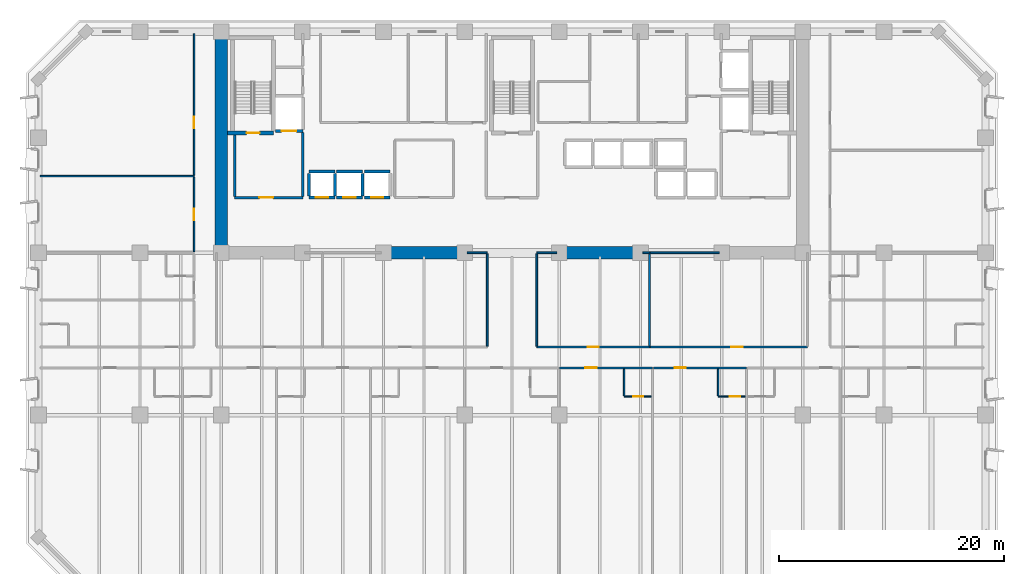
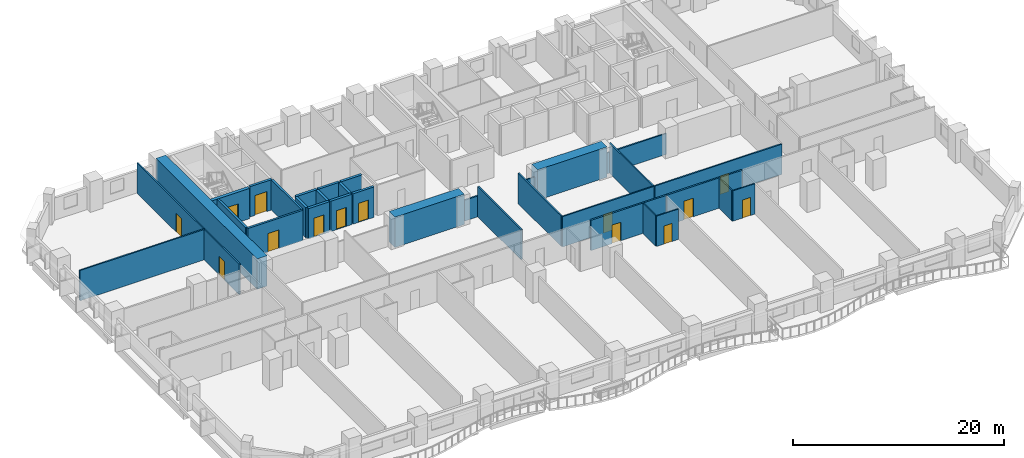
# One storey, part 6 of 15: 35 walls, 14 doors, 14 openings.
"""IFC4 building model written with IfcOpenShell, lengths in metres."""

from ifc_helpers import new_model, si_unit, direction, frame, frame_2d, origin, place, context, subcontext, project, spatial, rectangle, extrude, material, layer, layer_set, type_object, element, fill, save


model = new_model("IFC4")

# Units and contexts
model_context = context("Model", 3, precision=1e-05, world=origin(), true_north=direction((0.0, 1.0)))
body_context = subcontext(model_context, "Body", "Model", "MODEL_VIEW")
ifc_project = project(units=[si_unit("LENGTHUNIT", "METRE"), si_unit("AREAUNIT", "SQUARE_METRE"), si_unit("VOLUMEUNIT", "CUBIC_METRE"), si_unit("PLANEANGLEUNIT", "RADIAN"), si_unit("MASSUNIT", "GRAM", prefix="KILO")], contexts=[model_context])

# Site, building, storey
site_placement = place(None, origin())
site = spatial("IfcSite", under=ifc_project, at=site_placement, CompositionType="ELEMENT")
building_placement = place(site_placement, origin())
building = spatial("IfcBuilding", under=site, at=building_placement, Name="Kaelvorn Grand Hotel", CompositionType="ELEMENT")
storey_placement = place(building_placement, frame((0.0, 0.0, 72.64990234375)))
storey = spatial("IfcBuildingStorey", under=building, at=storey_placement, Name="L16", CompositionType="ELEMENT", Elevation=72.64990234375)

# Walls
ifc_material_1 = material(Name="Concrete C80/95", Category="concrete")
ifc_layer_1 = layer(ifc_material_1, 1.10009765625)
ifc_layer_set_1 = layer_set([ifc_layer_1], Name="Concrete C80/95")
wall_type_1 = type_object("IfcWallType", Name="WL-CORE-1100-C80", PredefinedType="SHEAR", material=ifc_layer_set_1)
wall_1_placement = place(storey_placement, frame((16.199951171875, 29.39990234375, 0.0), z_axis=(0.0, 0.0, 1.0), x_axis=(0.0, 1.0, 0.0)))
element("IfcWall", 1, at=wall_1_placement, inside=storey, type_object=wall_type_1, Name="L16 Rear-Core West Shear Wall", PredefinedType="SHEAR", context=body_context, shape_type="SweptSolid", body=[
    extrude(rectangle(XDim=19.2001953125, YDim=1.10009765625, at=frame_2d((9.60009765625, 0.0))), origin(), (0.0, 0.0, 1.0), 3.510009765625),
])
for number, where, z_axis, x_axis, name in (
    (2, (30.39990234375, 29.39990234375, 0.0), (0.0, 0.0, 1.0), (1.0, 0.0, 0.0), "L16 Rear-Core Coupled Shear Pier S2"),
    (3, (46.0, 29.39990234375, 0.0), (0.0, 0.0, 1.0), (1.0, 0.0, 0.0), "L16 Rear-Core Coupled Shear Pier S3"),
):
    element("IfcWall", number, at=place(storey_placement, frame(where, z_axis=z_axis, x_axis=x_axis)), inside=storey, type_object=wall_type_1, Name=name, PredefinedType="SHEAR", context=body_context, shape_type="SweptSolid", body=[
        extrude(rectangle(XDim=7.60009765625, YDim=1.10009765625, at=frame_2d((3.800048828125, 0.0))), origin(), (0.0, 0.0, 1.0), 3.510009765625),
    ])

# Wall, opening, door
ifc_material_2 = material(Name="Moisture-Resistant Tile & Stud Board")
ifc_layer_2 = layer(ifc_material_2, 0.125)
ifc_layer_set_2 = layer_set([ifc_layer_2], Name="Moisture-Resistant Tile & Stud Board")
wall_type_2 = type_object("IfcWallType", Name="WL-PART-125-WET", PredefinedType="PARTITIONING", material=ifc_layer_set_2)
wall_2_placement = place(storey_placement, frame((51.94970703125, 16.64990234375, 0.0), z_axis=(0.0, 0.0, 1.0), x_axis=(1.0, 0.0, 0.0)))
wall_2 = element("IfcWall", 4, at=wall_2_placement, inside=storey, type_object=wall_type_2, Name="L16 En-suite Bathroom L16-06 S Partition", PredefinedType="PARTITIONING", context=body_context, shape_type="SweptSolid", body=[
    extrude(rectangle(XDim=2.405029296875, YDim=0.125, at=frame_2d((1.20263671875, 0.0))), origin(), (0.0, 0.0, 1.0), 3.510009765625),
])
opening_1_placement = place(wall_2_placement, frame((0.800048828125, 0.0, 0.0)))
opening_1 = element("IfcOpeningElement", 5, at=opening_1_placement, cuts=wall_2, Name="Opening DI4", PredefinedType="OPENING", context=body_context, shape_type="SweptSolid", body=[
    extrude(rectangle(XDim=0.89990234375, YDim=2.10009765625, at=frame_2d((0.449951171875, 1.050048828125))), frame((0.0, 0.072509765625, 0.0), z_axis=(0.0, -1.0, 0.0), x_axis=(1.0, 0.0, 0.0)), (0.0, 0.0, 1.0), 0.14501953125),
])
ifc_material_3 = material(Name="Timber Veneer Leaf", Category="wood")
door_type_1 = type_object("IfcDoorType", Name="DR-INT-BATH-900x2100", OperationType="NOTDEFINED", PredefinedType="DOOR", material=ifc_material_3)
door_1_placement = place(opening_1_placement, origin())
door_1 = element("IfcDoor", 6, at=door_1_placement, inside=storey, type_object=door_type_1, Name="L16 En-suite Bathroom L16-06 Door", OperationType="SINGLE_SWING_RIGHT", OverallHeight=2.10009765625, OverallWidth=0.89990234375, PredefinedType="DOOR", context=body_context, shape_type="SweptSolid", body=[
    extrude(rectangle(XDim=0.89990234375, YDim=2.10009765625, at=frame_2d((0.449951171875, 1.050048828125))), frame((0.0, 0.02490234375, 0.0), z_axis=(0.0, -1.0, 0.0), x_axis=(1.0, 0.0, 0.0)), (0.0, 0.0, 1.0), 0.050048828125),
])
fill(opening_1, door_1)

# Wall
wall_3_placement = place(storey_placement, frame((51.94970703125, 16.717529296875, 0.0), z_axis=(0.0, 0.0, 1.0), x_axis=(0.0, 1.0, 0.0)))
element("IfcWall", 7, at=wall_3_placement, inside=storey, type_object=wall_type_2, Name="L16 En-suite Bathroom L16-06 W Partition", PredefinedType="PARTITIONING", context=body_context, shape_type="SweptSolid", body=[
    extrude(rectangle(XDim=2.387451171875, YDim=0.125, at=frame_2d((1.19384765625, 0.0))), origin(), (0.0, 0.0, 1.0), 3.510009765625),
])

# Wall, opening, door
wall_4_placement = place(storey_placement, frame((60.282958984375, 16.64990234375, 0.0), z_axis=(0.0, 0.0, 1.0), x_axis=(1.0, 0.0, 0.0)))
wall_4 = element("IfcWall", 8, at=wall_4_placement, inside=storey, type_object=wall_type_2, Name="L16 En-suite Bathroom L16-07 S Partition", PredefinedType="PARTITIONING", context=body_context, shape_type="SweptSolid", body=[
    extrude(rectangle(XDim=2.405029296875, YDim=0.125, at=frame_2d((1.20263671875, 0.0))), origin(), (0.0, 0.0, 1.0), 3.510009765625),
])
opening_2_placement = place(wall_4_placement, frame((1.050048828125, 0.0, 0.0)))
opening_2 = element("IfcOpeningElement", 9, at=opening_2_placement, cuts=wall_4, Name="Opening DI4", PredefinedType="OPENING", context=body_context, shape_type="SweptSolid", body=[
    extrude(rectangle(XDim=0.89990234375, YDim=2.10009765625, at=frame_2d((0.449951171875, 1.050048828125))), frame((0.0, 0.072509765625, 0.0), z_axis=(0.0, -1.0, 0.0), x_axis=(1.0, 0.0, 0.0)), (0.0, 0.0, 1.0), 0.14501953125),
])
door_2_placement = place(opening_2_placement, origin())
door_2 = element("IfcDoor", 10, at=door_2_placement, inside=storey, type_object=door_type_1, Name="L16 En-suite Bathroom L16-07 Door", OperationType="SINGLE_SWING_RIGHT", OverallHeight=2.10009765625, OverallWidth=0.89990234375, PredefinedType="DOOR", context=body_context, shape_type="SweptSolid", body=[
    extrude(rectangle(XDim=0.89990234375, YDim=2.10009765625, at=frame_2d((0.449951171875, 1.050048828125))), frame((0.0, 0.02490234375, 0.0), z_axis=(0.0, -1.0, 0.0), x_axis=(1.0, 0.0, 0.0)), (0.0, 0.0, 1.0), 0.050048828125),
])
fill(opening_2, door_2)

# Walls
wall_5_placement = place(storey_placement, frame((60.282958984375, 16.717529296875, 0.0), z_axis=(0.0, 0.0, 1.0), x_axis=(0.0, 1.0, 0.0)))
element("IfcWall", 11, at=wall_5_placement, inside=storey, type_object=wall_type_2, Name="L16 En-suite Bathroom L16-07 W Partition", PredefinedType="PARTITIONING", context=body_context, shape_type="SweptSolid", body=[
    extrude(rectangle(XDim=2.387451171875, YDim=0.125, at=frame_2d((1.19384765625, 0.0))), origin(), (0.0, 0.0, 1.0), 3.510009765625),
])
ifc_material_4 = material(Name="Acoustic Gypsum & Stud Partition")
ifc_layer_3 = layer(ifc_material_4, 0.14990234375)
ifc_layer_set_3 = layer_set([ifc_layer_3], Name="Acoustic Gypsum & Stud Partition")
wall_type_3 = type_object("IfcWallType", Name="WL-PART-150-EI60", PredefinedType="PARTITIONING", material=ifc_layer_set_3)
wall_6_placement = place(storey_placement, frame((38.010009765625, 29.39990234375, 0.0), z_axis=(0.0, 0.0, 1.0), x_axis=(1.0, 0.0, 0.0)))
element("IfcWall", 12, at=wall_6_placement, inside=storey, type_object=wall_type_3, Name="L16 Sommelier Wine Bar N Partition (2)", PredefinedType="PARTITIONING", context=body_context, shape_type="SweptSolid", body=[
    extrude(rectangle(XDim=1.7900390625, YDim=0.14990234375, at=frame_2d((0.89501953125, 0.0))), origin(), (0.0, 0.0, 1.0), 2.41015625),
])
wall_7_placement = place(storey_placement, frame((39.800048828125, 21.1298828125, 0.0), z_axis=(0.0, 0.0, 1.0), x_axis=(0.0, 1.0, 0.0)))
element("IfcWall", 13, at=wall_7_placement, inside=storey, type_object=wall_type_3, Name="L16 Sommelier Wine Bar E Partition", PredefinedType="PARTITIONING", context=body_context, shape_type="SweptSolid", body=[
    extrude(rectangle(XDim=8.190185546875, YDim=0.14990234375, at=frame_2d((4.09521484375, 0.0))), origin(), (0.0, 0.0, 1.0), 3.510009765625),
])

# Wall, opening, door
wall_8_placement = place(storey_placement, frame((44.199951171875, 21.050048828125, 0.0), z_axis=(0.0, 0.0, 1.0), x_axis=(1.0, 0.0, 0.0)))
wall_8 = element("IfcWall", 14, at=wall_8_placement, inside=storey, type_object=wall_type_3, Name="L16 Business Meeting Room S Partition", PredefinedType="PARTITIONING", context=body_context, shape_type="SweptSolid", body=[
    extrude(rectangle(XDim=10.0, YDim=0.14990234375, at=frame_2d((5.0, 0.0))), origin(), (0.0, 0.0, 1.0), 3.510009765625),
])
opening_3_placement = place(wall_8_placement, frame((4.5, 0.0, 0.0)))
opening_3 = element("IfcOpeningElement", 15, at=opening_3_placement, cuts=wall_8, Name="Opening DI3", PredefinedType="OPENING", context=body_context, shape_type="SweptSolid", body=[
    extrude(rectangle(XDim=1.0, YDim=2.14990234375, at=frame_2d((0.5, 1.074951171875))), frame((0.0, 0.0849609375, 0.0), z_axis=(0.0, -1.0, 0.0), x_axis=(1.0, 0.0, 0.0)), (0.0, 0.0, 1.0), 0.169921875),
])
ifc_material_5 = material(Name="Timber Veneer Fire Leaf", Category="wood")
door_type_2 = type_object("IfcDoorType", Name="DR-INT-GUEST-1000x2150", OperationType="NOTDEFINED", PredefinedType="DOOR", material=ifc_material_5)
door_3_placement = place(opening_3_placement, origin())
door_3 = element("IfcDoor", 16, at=door_3_placement, inside=storey, type_object=door_type_2, Name="L16 Business Meeting Room Door", OperationType="SINGLE_SWING_LEFT", OverallHeight=2.14990234375, OverallWidth=1.0, PredefinedType="DOOR", context=body_context, shape_type="SweptSolid", body=[
    extrude(rectangle(XDim=1.0, YDim=2.14990234375, at=frame_2d((0.5, 1.074951171875))), frame((0.0, 0.02490234375, 0.0), z_axis=(0.0, -1.0, 0.0), x_axis=(1.0, 0.0, 0.0)), (0.0, 0.0, 1.0), 0.050048828125),
])
fill(opening_3, door_3)

# Walls
wall_9_placement = place(storey_placement, frame((44.199951171875, 29.39990234375, 0.0), z_axis=(0.0, 0.0, 1.0), x_axis=(1.0, 0.0, 0.0)))
element("IfcWall", 17, at=wall_9_placement, inside=storey, type_object=wall_type_3, Name="L16 Business Meeting Room N Partition (1)", PredefinedType="PARTITIONING", context=body_context, shape_type="SweptSolid", body=[
    extrude(rectangle(XDim=1.7900390625, YDim=0.14990234375, at=frame_2d((0.89501953125, 0.0))), origin(), (0.0, 0.0, 1.0), 2.41015625),
])
wall_10_placement = place(storey_placement, frame((53.610107421875, 29.39990234375, 0.0), z_axis=(0.0, 0.0, 1.0), x_axis=(1.0, 0.0, 0.0)))
element("IfcWall", 18, at=wall_10_placement, inside=storey, type_object=wall_type_3, Name="L16 Business Meeting Room N Partition (2)", PredefinedType="PARTITIONING", context=body_context, shape_type="SweptSolid", body=[
    extrude(rectangle(XDim=0.58984375, YDim=0.14990234375, at=frame_2d((0.294921875, 0.0))), origin(), (0.0, 0.0, 1.0), 2.41015625),
])
for number, where, z_axis, x_axis, name in (
    (19, (44.199951171875, 21.1298828125, 0.0), (0.0, 0.0, 1.0), (0.0, 1.0, 0.0), "L16 Business Meeting Room W Partition"),
    (20, (54.199951171875, 21.1298828125, 0.0), (0.0, 0.0, 1.0), (0.0, 1.0, 0.0), "L16 Business Meeting Room E Partition"),
):
    element("IfcWall", number, at=place(storey_placement, frame(where, z_axis=z_axis, x_axis=x_axis)), inside=storey, type_object=wall_type_3, Name=name, PredefinedType="PARTITIONING", context=body_context, shape_type="SweptSolid", body=[
        extrude(rectangle(XDim=8.190185546875, YDim=0.14990234375, at=frame_2d((4.09521484375, 0.0))), origin(), (0.0, 0.0, 1.0), 3.510009765625),
    ])

# Wall, opening, door
wall_11_placement = place(storey_placement, frame((54.280029296875, 21.050048828125, 0.0), z_axis=(0.0, 0.0, 1.0), x_axis=(1.0, 0.0, 0.0)))
wall_11 = element("IfcWall", 21, at=wall_11_placement, inside=storey, type_object=wall_type_3, Name="L16 Press Briefing Office S Partition", PredefinedType="PARTITIONING", context=body_context, shape_type="SweptSolid", body=[
    extrude(rectangle(XDim=13.919921875, YDim=0.14990234375, at=frame_2d((6.9599609375, 0.0))), origin(), (0.0, 0.0, 1.0), 3.510009765625),
])
opening_4_placement = place(wall_11_placement, frame((7.169921875, 0.0, 0.0)))
opening_4 = element("IfcOpeningElement", 22, at=opening_4_placement, cuts=wall_11, Name="Opening DI3", PredefinedType="OPENING", context=body_context, shape_type="SweptSolid", body=[
    extrude(rectangle(XDim=1.0, YDim=2.14990234375, at=frame_2d((0.5, 1.074951171875))), frame((0.0, 0.0849609375, 0.0), z_axis=(0.0, -1.0, 0.0), x_axis=(1.0, 0.0, 0.0)), (0.0, 0.0, 1.0), 0.169921875),
])
door_4_placement = place(opening_4_placement, origin())
door_4 = element("IfcDoor", 23, at=door_4_placement, inside=storey, type_object=door_type_2, Name="L16 Press Briefing Office Door", OperationType="SINGLE_SWING_RIGHT", OverallHeight=2.14990234375, OverallWidth=1.0, PredefinedType="DOOR", context=body_context, shape_type="SweptSolid", body=[
    extrude(rectangle(XDim=1.0, YDim=2.14990234375, at=frame_2d((0.5, 1.074951171875))), frame((0.0, 0.02490234375, 0.0), z_axis=(0.0, -1.0, 0.0), x_axis=(1.0, 0.0, 0.0)), (0.0, 0.0, 1.0), 0.050048828125),
])
fill(opening_4, door_4)

# Walls
wall_12_placement = place(storey_placement, frame((54.280029296875, 29.39990234375, 0.0), z_axis=(0.0, 0.0, 1.0), x_axis=(1.0, 0.0, 0.0)))
element("IfcWall", 24, at=wall_12_placement, inside=storey, type_object=wall_type_3, Name="L16 Press Briefing Office N Partition", PredefinedType="PARTITIONING", context=body_context, shape_type="SweptSolid", body=[
    extrude(rectangle(XDim=6.10986328125, YDim=0.14990234375, at=frame_2d((3.054931640625, 0.0))), origin(), (0.0, 0.0, 1.0), 2.41015625),
])
wall_13_placement = place(storey_placement, frame((0.14990234375, 36.199951171875, 0.0), z_axis=(0.0, 0.0, 1.0), x_axis=(1.0, 0.0, 0.0)))
element("IfcWall", 25, at=wall_13_placement, inside=storey, type_object=wall_type_3, Name="L16 North-West Private Cinema Lounge N Partition", PredefinedType="PARTITIONING", context=body_context, shape_type="SweptSolid", body=[
    extrude(rectangle(XDim=13.650146484375, YDim=0.14990234375, at=frame_2d((6.8251953125, 0.0))), origin(), (0.0, 0.0, 1.0), 3.510009765625),
])

# Wall, opening, door
wall_14_placement = place(storey_placement, frame((13.800048828125, 29.4951171875, 0.0), z_axis=(0.0, 0.0, 1.0), x_axis=(0.0, 1.0, 0.0)))
wall_14 = element("IfcWall", 26, at=wall_14_placement, inside=storey, type_object=wall_type_3, Name="L16 North-West Private Cinema Lounge E Partition", PredefinedType="PARTITIONING", context=body_context, shape_type="SweptSolid", body=[
    extrude(rectangle(XDim=6.625, YDim=0.14990234375, at=frame_2d((3.3125, 0.0))), origin(), (0.0, 0.0, 1.0), 3.510009765625),
])
opening_5_placement = place(wall_14_placement, frame((2.804931640625, 0.0, 0.0)))
opening_5 = element("IfcOpeningElement", 27, at=opening_5_placement, cuts=wall_14, Name="Opening DI3", PredefinedType="OPENING", context=body_context, shape_type="SweptSolid", body=[
    extrude(rectangle(XDim=1.0, YDim=2.14990234375, at=frame_2d((0.5, 1.074951171875))), frame((0.0, 0.0849609375, 0.0), z_axis=(0.0, -1.0, 0.0), x_axis=(1.0, 0.0, 0.0)), (0.0, 0.0, 1.0), 0.169921875),
])
door_5_placement = place(opening_5_placement, origin())
door_5 = element("IfcDoor", 28, at=door_5_placement, inside=storey, type_object=door_type_2, Name="L16 North-West Private Cinema Lounge Door", OperationType="SINGLE_SWING_LEFT", OverallHeight=2.14990234375, OverallWidth=1.0, PredefinedType="DOOR", context=body_context, shape_type="SweptSolid", body=[
    extrude(rectangle(XDim=1.0, YDim=2.14990234375, at=frame_2d((0.5, 1.074951171875))), frame((0.0, 0.02490234375, 0.0), z_axis=(0.0, -1.0, 0.0), x_axis=(1.0, 0.0, 0.0)), (0.0, 0.0, 1.0), 0.050048828125),
])
fill(opening_5, door_5)

wall_15_placement = place(storey_placement, frame((13.800048828125, 36.280029296875, 0.0), z_axis=(0.0, 0.0, 1.0), x_axis=(0.0, 1.0, 0.0)))
wall_15 = element("IfcWall", 29, at=wall_15_placement, inside=storey, type_object=wall_type_3, Name="L16 North-West Sommelier Wine Bar E Partition", PredefinedType="PARTITIONING", context=body_context, shape_type="SweptSolid", body=[
    extrude(rectangle(XDim=12.570068359375, YDim=0.14990234375, at=frame_2d((6.28515625, 0.0))), origin(), (0.0, 0.0, 1.0), 3.510009765625),
])
opening_6_placement = place(wall_15_placement, frame((4.169921875, 0.0, 0.0)))
opening_6 = element("IfcOpeningElement", 30, at=opening_6_placement, cuts=wall_15, Name="Opening DI3", PredefinedType="OPENING", context=body_context, shape_type="SweptSolid", body=[
    extrude(rectangle(XDim=1.0, YDim=2.14990234375, at=frame_2d((0.5, 1.074951171875))), frame((0.0, 0.0849609375, 0.0), z_axis=(0.0, -1.0, 0.0), x_axis=(1.0, 0.0, 0.0)), (0.0, 0.0, 1.0), 0.169921875),
])
door_6_placement = place(opening_6_placement, origin())
door_6 = element("IfcDoor", 31, at=door_6_placement, inside=storey, type_object=door_type_2, Name="L16 North-West Sommelier Wine Bar Door", OperationType="SINGLE_SWING_RIGHT", OverallHeight=2.14990234375, OverallWidth=1.0, PredefinedType="DOOR", context=body_context, shape_type="SweptSolid", body=[
    extrude(rectangle(XDim=1.0, YDim=2.14990234375, at=frame_2d((0.5, 1.074951171875))), frame((0.0, 0.02490234375, 0.0), z_axis=(0.0, -1.0, 0.0), x_axis=(1.0, 0.0, 0.0)), (0.0, 0.0, 1.0), 0.050048828125),
])
fill(opening_6, door_6)

ifc_layer_4 = layer(ifc_material_4, 0.179931640625)
ifc_layer_set_4 = layer_set([ifc_layer_4], Name="Acoustic Gypsum & Stud Partition")
wall_type_4 = type_object("IfcWallType", Name="WL-PART-180-EI60", PredefinedType="PARTITIONING", material=ifc_layer_set_4)
wall_16_placement = place(storey_placement, frame((46.21142578125, 19.199951171875, 0.0), z_axis=(0.0, 0.0, 1.0), x_axis=(1.0, 0.0, 0.0)))
wall_16 = element("IfcWall", 32, at=wall_16_placement, inside=storey, type_object=wall_type_4, Name="L16 Deluxe Panoramic Suite L16-06 N Partition", PredefinedType="PARTITIONING", context=body_context, shape_type="SweptSolid", body=[
    extrude(rectangle(XDim=8.23828125, YDim=0.179931640625, at=frame_2d((4.119140625, 0.0))), origin(), (0.0, 0.0, 1.0), 3.510009765625),
])
opening_7_placement = place(wall_16_placement, frame((2.303466796875, 0.0, 0.0)))
opening_7 = element("IfcOpeningElement", 33, at=opening_7_placement, cuts=wall_16, Name="Opening DI3", PredefinedType="OPENING", context=body_context, shape_type="SweptSolid", body=[
    extrude(rectangle(XDim=1.0, YDim=2.14990234375, at=frame_2d((0.5, 1.074951171875))), frame((0.0, 0.10009765625, 0.0), z_axis=(0.0, -1.0, 0.0), x_axis=(1.0, 0.0, 0.0)), (0.0, 0.0, 1.0), 0.199951171875),
])
door_7_placement = place(opening_7_placement, origin())
door_7 = element("IfcDoor", 34, at=door_7_placement, inside=storey, type_object=door_type_2, Name="L16 Deluxe Panoramic Suite L16-06 Door", OperationType="SINGLE_SWING_LEFT", OverallHeight=2.14990234375, OverallWidth=1.0, PredefinedType="DOOR", context=body_context, shape_type="SweptSolid", body=[
    extrude(rectangle(XDim=1.0, YDim=2.14990234375, at=frame_2d((0.5, 1.074951171875))), frame((0.0, 0.02490234375, 0.0), z_axis=(0.0, -1.0, 0.0), x_axis=(1.0, 0.0, 0.0)), (0.0, 0.0, 1.0), 0.050048828125),
])
fill(opening_7, door_7)

wall_17_placement = place(storey_placement, frame((54.544677734375, 19.199951171875, 0.0), z_axis=(0.0, 0.0, 1.0), x_axis=(1.0, 0.0, 0.0)))
wall_17 = element("IfcWall", 35, at=wall_17_placement, inside=storey, type_object=wall_type_4, Name="L16 Deluxe Panoramic Suite L16-07 N Partition", PredefinedType="PARTITIONING", context=body_context, shape_type="SweptSolid", body=[
    extrude(rectangle(XDim=8.23828125, YDim=0.179931640625, at=frame_2d((4.119140625, 0.0))), origin(), (0.0, 0.0, 1.0), 3.510009765625),
])
opening_8_placement = place(wall_17_placement, frame((1.87158203125, 0.0, 0.0)))
opening_8 = element("IfcOpeningElement", 36, at=opening_8_placement, cuts=wall_17, Name="Opening DI3", PredefinedType="OPENING", context=body_context, shape_type="SweptSolid", body=[
    extrude(rectangle(XDim=1.0, YDim=2.14990234375, at=frame_2d((0.5, 1.074951171875))), frame((0.0, 0.10009765625, 0.0), z_axis=(0.0, -1.0, 0.0), x_axis=(1.0, 0.0, 0.0)), (0.0, 0.0, 1.0), 0.199951171875),
])
door_8_placement = place(opening_8_placement, origin())
door_8 = element("IfcDoor", 37, at=door_8_placement, inside=storey, type_object=door_type_2, Name="L16 Deluxe Panoramic Suite L16-07 Door", OperationType="SINGLE_SWING_LEFT", OverallHeight=2.14990234375, OverallWidth=1.0, PredefinedType="DOOR", context=body_context, shape_type="SweptSolid", body=[
    extrude(rectangle(XDim=1.0, YDim=2.14990234375, at=frame_2d((0.5, 1.074951171875))), frame((0.0, 0.02490234375, 0.0), z_axis=(0.0, -1.0, 0.0), x_axis=(1.0, 0.0, 0.0)), (0.0, 0.0, 1.0), 0.050048828125),
])
fill(opening_8, door_8)

ifc_material_6 = material(Name="Concrete C40/50", Category="concrete")
ifc_layer_5 = layer(ifc_material_6, 0.219970703125)
ifc_layer_set_5 = layer_set([ifc_layer_5], Name="Concrete C40/50")
wall_type_5 = type_object("IfcWallType", Name="WL-PART-220-EI120", PredefinedType="PARTITIONING", material=ifc_layer_set_5)
wall_18_placement = place(storey_placement, frame((17.39990234375, 34.300048828125, 0.0), z_axis=(0.0, 0.0, 1.0), x_axis=(1.0, 0.0, 0.0)))
wall_18 = element("IfcWall", 38, at=wall_18_placement, inside=storey, type_object=wall_type_5, Name="L16 Firefighting Lift Lobby 1 S Partition", PredefinedType="PARTITIONING", context=body_context, shape_type="SweptSolid", body=[
    extrude(rectangle(XDim=6.050048828125, YDim=0.219970703125, at=frame_2d((3.02490234375, 0.0))), origin(), (0.0, 0.0, 1.0), 3.510009765625),
])
opening_9_placement = place(wall_18_placement, frame((2.199951171875, 0.0, 0.0)))
opening_9 = element("IfcOpeningElement", 39, at=opening_9_placement, cuts=wall_18, Name="Opening DI2", PredefinedType="OPENING", context=body_context, shape_type="SweptSolid", body=[
    extrude(rectangle(XDim=1.199951171875, YDim=2.14990234375, at=frame_2d((0.60009765625, 1.074951171875))), frame((0.0, 0.1201171875, 0.0), z_axis=(0.0, -1.0, 0.0), x_axis=(1.0, 0.0, 0.0)), (0.0, 0.0, 1.0), 0.239990234375),
])
door_type_3 = type_object("IfcDoorType", Name="DR-INT-FFLOB-1200x2150", OperationType="NOTDEFINED", PredefinedType="DOOR", material=ifc_material_5)
door_9_placement = place(opening_9_placement, origin())
door_9 = element("IfcDoor", 40, at=door_9_placement, inside=storey, type_object=door_type_3, Name="L16 Firefighting Lift Lobby 1 Door", OperationType="SINGLE_SWING_RIGHT", OverallHeight=2.14990234375, OverallWidth=1.199951171875, PredefinedType="DOOR", context=body_context, shape_type="SweptSolid", body=[
    extrude(rectangle(XDim=1.199951171875, YDim=2.14990234375, at=frame_2d((0.60009765625, 1.074951171875))), frame((0.0, 0.02490234375, 0.0), z_axis=(0.0, -1.0, 0.0), x_axis=(1.0, 0.0, 0.0)), (0.0, 0.0, 1.0), 0.050048828125),
])
fill(opening_9, door_9)

# Walls
wall_19_placement = place(storey_placement, frame((17.39990234375, 34.4150390625, 0.0), z_axis=(0.0, 0.0, 1.0), x_axis=(0.0, 1.0, 0.0)))
element("IfcWall", 41, at=wall_19_placement, inside=storey, type_object=wall_type_5, Name="L16 Firefighting Lift Lobby 1 W Partition", PredefinedType="PARTITIONING", context=body_context, shape_type="SweptSolid", body=[
    extrude(rectangle(XDim=5.429931640625, YDim=0.219970703125, at=frame_2d((2.71484375, 0.0))), origin(), (0.0, 0.0, 1.0), 3.510009765625),
])
wall_20_placement = place(storey_placement, frame((23.449951171875, 34.4150390625, 0.0), z_axis=(0.0, 0.0, 1.0), x_axis=(0.0, 1.0, 0.0)))
element("IfcWall", 42, at=wall_20_placement, inside=storey, type_object=wall_type_5, Name="L16 Firefighting Lift Lobby 1 E Partition", PredefinedType="PARTITIONING", context=body_context, shape_type="SweptSolid", body=[
    extrude(rectangle(XDim=5.639892578125, YDim=0.219970703125, at=frame_2d((2.81982421875, 0.0))), origin(), (0.0, 0.0, 1.0), 3.510009765625),
])

# Wall, opening, door
ifc_material_7 = material(Name="Concrete C50/60", Category="concrete")
ifc_layer_6 = layer(ifc_material_7, 0.280029296875)
ifc_layer_set_6 = layer_set([ifc_layer_6], Name="Concrete C50/60")
wall_type_6 = type_object("IfcWallType", Name="WL-SHAFT-280-C50", PredefinedType="SHEAR", material=ifc_layer_set_6)
wall_21_placement = place(storey_placement, frame((24.0, 34.300048828125, 0.0), z_axis=(0.0, 0.0, 1.0), x_axis=(1.0, 0.0, 0.0)))
wall_21 = element("IfcWall", 43, at=wall_21_placement, inside=storey, type_object=wall_type_6, Name="L16 Lift PL-L1 Shaft South Wall", PredefinedType="SHEAR", context=body_context, shape_type="SweptSolid", body=[
    extrude(rectangle(XDim=2.300048828125, YDim=0.280029296875, at=frame_2d((1.14990234375, 0.0))), origin(), (0.0, 0.0, 1.0), 3.510009765625),
])
opening_10_placement = place(wall_21_placement, frame((0.60009765625, 0.0, 0.0)))
opening_10 = element("IfcOpeningElement", 44, at=opening_10_placement, cuts=wall_21, Name="Opening LD-PL-L1", PredefinedType="OPENING", context=body_context, shape_type="SweptSolid", body=[
    extrude(rectangle(XDim=1.10009765625, YDim=2.199951171875, at=frame_2d((0.550048828125, 1.10009765625))), frame((0.0, 0.14990234375, 0.0), z_axis=(0.0, -1.0, 0.0), x_axis=(1.0, 0.0, 0.0)), (0.0, 0.0, 1.0), 0.300048828125),
])
ifc_material_8 = material(Name="Stainless Steel", Category="steel")
door_type_4 = type_object("IfcDoorType", Name="DR-LIFT-PASS-1100x2200", OperationType="DOUBLE_DOOR_SLIDING", PredefinedType="DOOR", material=ifc_material_8)
door_10_placement = place(opening_10_placement, origin())
door_10 = element("IfcDoor", 45, at=door_10_placement, inside=storey, type_object=door_type_4, Name="L16 Lift PL-L1 Sliding Landing Door LD-PL-L1", OperationType="DOUBLE_DOOR_SLIDING", OverallHeight=2.199951171875, OverallWidth=1.10009765625, PredefinedType="DOOR", context=body_context, shape_type="SweptSolid", body=[
    extrude(rectangle(XDim=1.10009765625, YDim=2.199951171875, at=frame_2d((0.550048828125, 1.10009765625))), frame((0.0, 0.02490234375, 0.0), z_axis=(0.0, -1.0, 0.0), x_axis=(1.0, 0.0, 0.0)), (0.0, 0.0, 1.0), 0.050048828125),
])
fill(opening_10, door_10)

# Walls
wall_22_placement = place(storey_placement, frame((24.0, 36.60009765625, 0.0), z_axis=(0.0, 0.0, 1.0), x_axis=(1.0, 0.0, 0.0)))
element("IfcWall", 46, at=wall_22_placement, inside=storey, type_object=wall_type_6, Name="L16 Lift PL-L1 Shaft North Wall", PredefinedType="SHEAR", context=body_context, shape_type="SweptSolid", body=[
    extrude(rectangle(XDim=2.300048828125, YDim=0.280029296875, at=frame_2d((1.14990234375, 0.0))), origin(), (0.0, 0.0, 1.0), 3.510009765625),
])
for number, where, z_axis, x_axis, name in (
    (47, (24.0, 34.445068359375, 0.0), (0.0, 0.0, 1.0), (0.0, 1.0, 0.0), "L16 Lift PL-L1 Shaft West Wall"),
    (48, (26.300048828125, 34.445068359375, 0.0), (0.0, 0.0, 1.0), (0.0, 1.0, 0.0), "L16 Lift PL-L1 Shaft East Wall"),
):
    element("IfcWall", number, at=place(storey_placement, frame(where, z_axis=z_axis, x_axis=x_axis)), inside=storey, type_object=wall_type_6, Name=name, PredefinedType="SHEAR", context=body_context, shape_type="SweptSolid", body=[
        extrude(rectangle(XDim=2.010009765625, YDim=0.280029296875, at=frame_2d((1.0048828125, 0.0))), origin(), (0.0, 0.0, 1.0), 3.510009765625),
    ])

# Wall, opening, door
wall_23_placement = place(storey_placement, frame((26.449951171875, 34.300048828125, 0.0), z_axis=(0.0, 0.0, 1.0), x_axis=(1.0, 0.0, 0.0)))
wall_23 = element("IfcWall", 49, at=wall_23_placement, inside=storey, type_object=wall_type_6, Name="L16 Lift PL-L2 Shaft South Wall", PredefinedType="SHEAR", context=body_context, shape_type="SweptSolid", body=[
    extrude(rectangle(XDim=2.300048828125, YDim=0.280029296875, at=frame_2d((1.14990234375, 0.0))), origin(), (0.0, 0.0, 1.0), 3.510009765625),
])
opening_11_placement = place(wall_23_placement, frame((0.60009765625, 0.0, 0.0)))
opening_11 = element("IfcOpeningElement", 50, at=opening_11_placement, cuts=wall_23, Name="Opening LD-PL-L2", PredefinedType="OPENING", context=body_context, shape_type="SweptSolid", body=[
    extrude(rectangle(XDim=1.10009765625, YDim=2.199951171875, at=frame_2d((0.550048828125, 1.10009765625))), frame((0.0, 0.14990234375, 0.0), z_axis=(0.0, -1.0, 0.0), x_axis=(1.0, 0.0, 0.0)), (0.0, 0.0, 1.0), 0.300048828125),
])
door_11_placement = place(opening_11_placement, origin())
door_11 = element("IfcDoor", 51, at=door_11_placement, inside=storey, type_object=door_type_4, Name="L16 Lift PL-L2 Sliding Landing Door LD-PL-L2", OperationType="DOUBLE_DOOR_SLIDING", OverallHeight=2.199951171875, OverallWidth=1.10009765625, PredefinedType="DOOR", context=body_context, shape_type="SweptSolid", body=[
    extrude(rectangle(XDim=1.10009765625, YDim=2.199951171875, at=frame_2d((0.550048828125, 1.10009765625))), frame((0.0, 0.02490234375, 0.0), z_axis=(0.0, -1.0, 0.0), x_axis=(1.0, 0.0, 0.0)), (0.0, 0.0, 1.0), 0.050048828125),
])
fill(opening_11, door_11)

# Walls
wall_24_placement = place(storey_placement, frame((26.449951171875, 36.60009765625, 0.0), z_axis=(0.0, 0.0, 1.0), x_axis=(1.0, 0.0, 0.0)))
element("IfcWall", 52, at=wall_24_placement, inside=storey, type_object=wall_type_6, Name="L16 Lift PL-L2 Shaft North Wall", PredefinedType="SHEAR", context=body_context, shape_type="SweptSolid", body=[
    extrude(rectangle(XDim=2.300048828125, YDim=0.280029296875, at=frame_2d((1.14990234375, 0.0))), origin(), (0.0, 0.0, 1.0), 3.510009765625),
])
wall_25_placement = place(storey_placement, frame((28.75, 34.445068359375, 0.0), z_axis=(0.0, 0.0, 1.0), x_axis=(0.0, 1.0, 0.0)))
element("IfcWall", 53, at=wall_25_placement, inside=storey, type_object=wall_type_6, Name="L16 Lift PL-L2 Shaft East Wall", PredefinedType="SHEAR", context=body_context, shape_type="SweptSolid", body=[
    extrude(rectangle(XDim=2.010009765625, YDim=0.280029296875, at=frame_2d((1.0048828125, 0.0))), origin(), (0.0, 0.0, 1.0), 3.510009765625),
])

# Wall, opening, door
wall_26_placement = place(storey_placement, frame((28.89990234375, 34.300048828125, 0.0), z_axis=(0.0, 0.0, 1.0), x_axis=(1.0, 0.0, 0.0)))
wall_26 = element("IfcWall", 54, at=wall_26_placement, inside=storey, type_object=wall_type_6, Name="L16 Lift PL-L3 Shaft South Wall", PredefinedType="SHEAR", context=body_context, shape_type="SweptSolid", body=[
    extrude(rectangle(XDim=2.300048828125, YDim=0.280029296875, at=frame_2d((1.14990234375, 0.0))), origin(), (0.0, 0.0, 1.0), 3.510009765625),
])
opening_12_placement = place(wall_26_placement, frame((0.60009765625, 0.0, 0.0)))
opening_12 = element("IfcOpeningElement", 55, at=opening_12_placement, cuts=wall_26, Name="Opening LD-PL-L3", PredefinedType="OPENING", context=body_context, shape_type="SweptSolid", body=[
    extrude(rectangle(XDim=1.10009765625, YDim=2.199951171875, at=frame_2d((0.550048828125, 1.10009765625))), frame((0.0, 0.14990234375, 0.0), z_axis=(0.0, -1.0, 0.0), x_axis=(1.0, 0.0, 0.0)), (0.0, 0.0, 1.0), 0.300048828125),
])
door_12_placement = place(opening_12_placement, origin())
door_12 = element("IfcDoor", 56, at=door_12_placement, inside=storey, type_object=door_type_4, Name="L16 Lift PL-L3 Sliding Landing Door LD-PL-L3", OperationType="DOUBLE_DOOR_SLIDING", OverallHeight=2.199951171875, OverallWidth=1.10009765625, PredefinedType="DOOR", context=body_context, shape_type="SweptSolid", body=[
    extrude(rectangle(XDim=1.10009765625, YDim=2.199951171875, at=frame_2d((0.550048828125, 1.10009765625))), frame((0.0, 0.02490234375, 0.0), z_axis=(0.0, -1.0, 0.0), x_axis=(1.0, 0.0, 0.0)), (0.0, 0.0, 1.0), 0.050048828125),
])
fill(opening_12, door_12)

# Wall
wall_27_placement = place(storey_placement, frame((28.89990234375, 36.60009765625, 0.0), z_axis=(0.0, 0.0, 1.0), x_axis=(1.0, 0.0, 0.0)))
element("IfcWall", 57, at=wall_27_placement, inside=storey, type_object=wall_type_6, Name="L16 Lift PL-L3 Shaft North Wall", PredefinedType="SHEAR", context=body_context, shape_type="SweptSolid", body=[
    extrude(rectangle(XDim=2.300048828125, YDim=0.280029296875, at=frame_2d((1.14990234375, 0.0))), origin(), (0.0, 0.0, 1.0), 3.510009765625),
])

# Wall, opening, door
wall_28_placement = place(storey_placement, frame((21.034912109375, 40.199951171875, 0.0), z_axis=(0.0, 0.0, 1.0), x_axis=(1.0, 0.0, 0.0)))
wall_28 = element("IfcWall", 58, at=wall_28_placement, inside=storey, type_object=wall_type_6, Name="L16 Lift FFL1 Shaft South Wall", PredefinedType="SHEAR", context=body_context, shape_type="SweptSolid", body=[
    extrude(rectangle(XDim=2.4150390625, YDim=0.280029296875, at=frame_2d((1.20751953125, 0.0))), origin(), (0.0, 0.0, 1.0), 3.510009765625),
])
opening_13_placement = place(wall_28_placement, frame((0.5400390625, 0.0, 0.0)))
opening_13 = element("IfcOpeningElement", 59, at=opening_13_placement, cuts=wall_28, Name="Opening LD-FFL1", PredefinedType="OPENING", context=body_context, shape_type="SweptSolid", body=[
    extrude(rectangle(XDim=1.300048828125, YDim=2.300048828125, at=frame_2d((0.64990234375, 1.14990234375))), frame((0.0, 0.14990234375, 0.0), z_axis=(0.0, -1.0, 0.0), x_axis=(1.0, 0.0, 0.0)), (0.0, 0.0, 1.0), 0.300048828125),
])
door_type_5 = type_object("IfcDoorType", Name="DR-LIFT-SERV-1300x2300", OperationType="DOUBLE_DOOR_SLIDING", PredefinedType="DOOR", material=ifc_material_8)
door_13_placement = place(opening_13_placement, origin())
door_13 = element("IfcDoor", 60, at=door_13_placement, inside=storey, type_object=door_type_5, Name="L16 Lift FFL1 Sliding Landing Door LD-FFL1", OperationType="DOUBLE_DOOR_SLIDING", OverallHeight=2.300048828125, OverallWidth=1.300048828125, PredefinedType="DOOR", context=body_context, shape_type="SweptSolid", body=[
    extrude(rectangle(XDim=1.300048828125, YDim=2.300048828125, at=frame_2d((0.64990234375, 1.14990234375))), frame((0.0, 0.02490234375, 0.0), z_axis=(0.0, -1.0, 0.0), x_axis=(1.0, 0.0, 0.0)), (0.0, 0.0, 1.0), 0.050048828125),
])
fill(opening_13, door_13)

ifc_material_9 = material(Name="Concrete C60/75", Category="concrete")
ifc_layer_7 = layer(ifc_material_9, 0.35009765625)
ifc_layer_set_7 = layer_set([ifc_layer_7], Name="Concrete C60/75")
wall_type_7 = type_object("IfcWallType", Name="WL-SHAFT-350-C60", PredefinedType="SHEAR", material=ifc_layer_set_7)
wall_29_placement = place(storey_placement, frame((16.7548828125, 40.02490234375, 0.0), z_axis=(0.0, 0.0, 1.0), x_axis=(1.0, 0.0, 0.0)))
wall_29 = element("IfcWall", 61, at=wall_29_placement, inside=storey, type_object=wall_type_7, Name="L16 ST1 Stair Shaft South Wall", PredefinedType="SHEAR", context=body_context, shape_type="SweptSolid", body=[
    extrude(rectangle(XDim=4.10009765625, YDim=0.35009765625, at=frame_2d((2.050048828125, 0.0))), origin(), (0.0, 0.0, 1.0), 3.510009765625),
])
opening_14_placement = place(wall_29_placement, frame((1.7099609375, 0.0, 0.0)))
opening_14 = element("IfcOpeningElement", 62, at=opening_14_placement, cuts=wall_29, Name="Opening DI1", PredefinedType="OPENING", context=body_context, shape_type="SweptSolid", body=[
    extrude(rectangle(XDim=1.14990234375, YDim=2.14990234375, at=frame_2d((0.574951171875, 1.074951171875))), frame((0.0, 0.18505859375, 0.0), z_axis=(0.0, -1.0, 0.0), x_axis=(1.0, 0.0, 0.0)), (0.0, 0.0, 1.0), 0.3701171875),
])
door_type_6 = type_object("IfcDoorType", Name="DR-INT-STAIR-1150x2150", OperationType="NOTDEFINED", PredefinedType="DOOR", material=ifc_material_5)
door_14_placement = place(opening_14_placement, origin())
door_14 = element("IfcDoor", 63, at=door_14_placement, inside=storey, type_object=door_type_6, Name="L16 ST1 Exit Stair Fire Door", OperationType="SINGLE_SWING_LEFT", OverallHeight=2.14990234375, OverallWidth=1.14990234375, PredefinedType="DOOR", context=body_context, shape_type="SweptSolid", body=[
    extrude(rectangle(XDim=1.14990234375, YDim=2.14990234375, at=frame_2d((0.574951171875, 1.074951171875))), frame((0.0, 0.02490234375, 0.0), z_axis=(0.0, -1.0, 0.0), x_axis=(1.0, 0.0, 0.0)), (0.0, 0.0, 1.0), 0.050048828125),
])
fill(opening_14, door_14)

save(model, "model.ifc")
